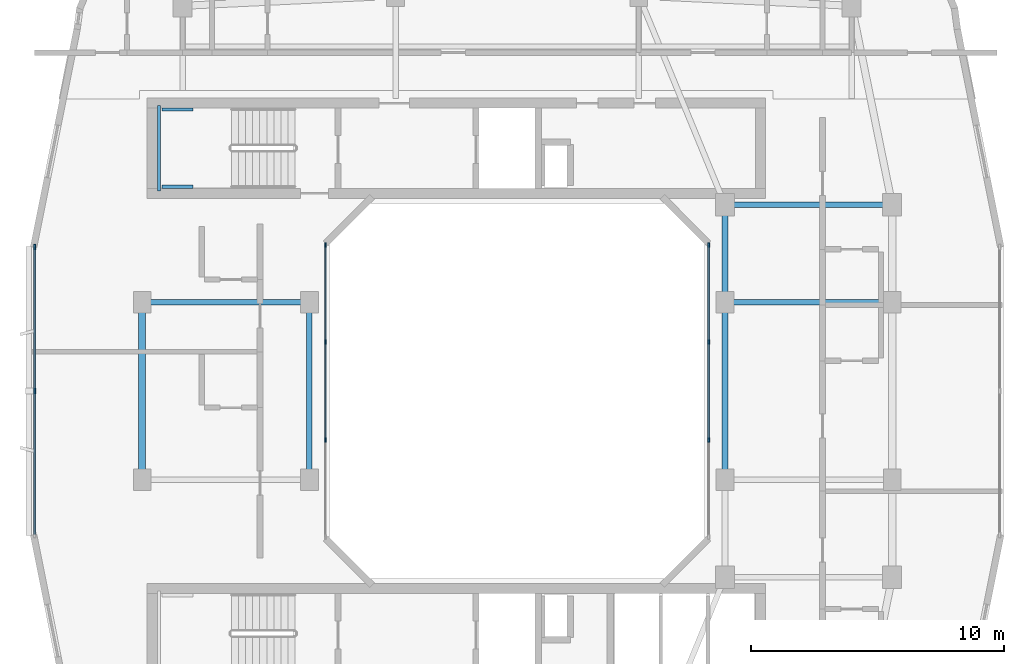
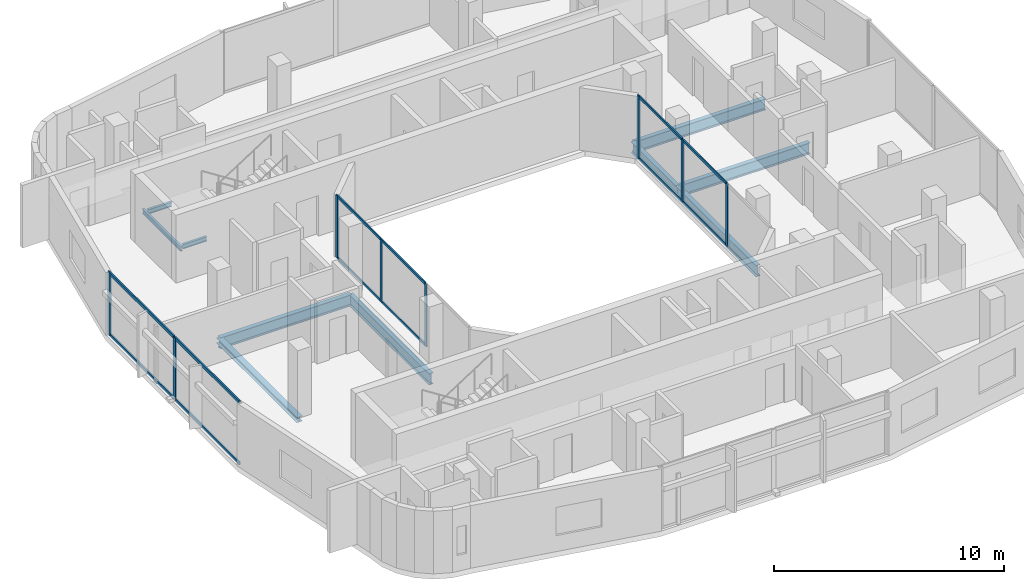
# One storey, part 3 of 14: 20 members, 10 beams, 3 elements without a shape of their own.
"""IFC4 building model written with IfcOpenShell, lengths in metres."""

from ifc_helpers import new_model, si_unit, derived_unit, direction, frame, origin, origin_2d, place, context, subcontext, project, spatial, rectangle, i_section, extrude, material, layer, layer_set, material_profile, profile_set, type_object, element, aggregate, save


model = new_model("IFC4")

# Units and contexts
model_context = context("Model", 3, precision=1e-05, world=origin(), true_north=direction((0.0, 1.0)))
body_context = subcontext(model_context, "Body", "Model", "MODEL_VIEW")
ifc_project = project(units=[si_unit("LENGTHUNIT", "METRE"), si_unit("AREAUNIT", "SQUARE_METRE"), si_unit("VOLUMEUNIT", "CUBIC_METRE"), si_unit("PLANEANGLEUNIT", "RADIAN"), si_unit("MASSUNIT", "GRAM", prefix="KILO"), derived_unit("THERMALTRANSMITTANCEUNIT", [(si_unit("POWERUNIT", "WATT"), 1), (si_unit("LENGTHUNIT", "METRE"), -2), (si_unit("THERMODYNAMICTEMPERATUREUNIT", "KELVIN"), -1)])], contexts=[model_context])

# Site, building, storey
site_placement = place(None, origin())
site = spatial("IfcSite", under=ifc_project, at=site_placement, CompositionType="ELEMENT")
building_placement = place(site_placement, origin())
building = spatial("IfcBuilding", under=site, at=building_placement, Name="Kivonza Crest Hotel", CompositionType="ELEMENT")
storey_placement = place(building_placement, frame((0.0, 0.0, 206.300048828125)))
storey = spatial("IfcBuildingStorey", under=building, at=storey_placement, Name="L56", CompositionType="ELEMENT", Elevation=206.300048828125)

# Beams
ifc_material_1 = material(Name="Steel S355", Category="steel")
ifc_material_profile_1 = material_profile(ifc_material_1, i_section(OverallWidth=0.280029296875, OverallDepth=0.280029296875, WebThickness=0.010498046875, FlangeThickness=0.01806640625, FilletRadius=0.02392578125, at=origin_2d()), Name="HEB 280")
ifc_profile_set_1 = profile_set([ifc_material_profile_1], Name="Steel S355")
beam_type_1 = type_object("IfcBeamType", Name="BM-HEB280", PredefinedType="SPANDREL", material=ifc_profile_set_1)
beam_1_placement = place(storey_placement, frame((6.199951171875, 28.5, -0.420166015625), z_axis=(0.0, -1.0, 0.0), x_axis=(1.0, 0.0, 0.0)))
element("IfcBeam", 1, at=beam_1_placement, inside=storey, type_object=beam_type_1, Name="Tower T1 L56 perimeter spandrel W2-W1", PredefinedType="SPANDREL", context=body_context, shape_type="SweptSolid", body=[
    extrude(i_section(OverallWidth=0.280029296875, OverallDepth=0.280029296875, WebThickness=0.010498046875, FlangeThickness=0.01806640625, FilletRadius=0.02392578125, at=origin_2d()), origin(), (0.0, 0.0, 1.0), 7.0),
])
ifc_material_profile_2 = material_profile(ifc_material_1, i_section(OverallWidth=0.219970703125, OverallDepth=0.60009765625, WebThickness=0.011962890625, FlangeThickness=0.01904296875, FilletRadius=0.02392578125, at=origin_2d()), Name="IPE 600")
ifc_profile_set_2 = profile_set([ifc_material_profile_2], Name="Steel S355")
beam_type_2 = type_object("IfcBeamType", Name="BM-IPE600", PredefinedType="BEAM", material=ifc_profile_set_2)
beam_2_placement = place(storey_placement, frame((6.199951171875, 28.5, -0.580078125), z_axis=(1.0, 0.0, 0.0), x_axis=(0.0, 1.0, 0.0)))
element("IfcBeam", 2, at=beam_2_placement, inside=storey, type_object=beam_type_2, Name="Tower T1 L56 primary girder W2-WL2", PredefinedType="BEAM", context=body_context, shape_type="SweptSolid", body=[
    extrude(i_section(OverallWidth=0.219970703125, OverallDepth=0.60009765625, WebThickness=0.011962890625, FlangeThickness=0.01904296875, FilletRadius=0.02392578125, at=origin_2d()), origin(), (0.0, 0.0, 1.0), 6.60009765625),
])
beam_3_placement = place(storey_placement, frame((12.800048828125, 21.5, -0.580078125), z_axis=(0.0, 1.0, 0.0), x_axis=(-1.0, 0.0, 0.0)))
element("IfcBeam", 3, at=beam_3_placement, inside=storey, type_object=beam_type_2, Name="Tower T1 L56 primary girder WL1-WL2", PredefinedType="BEAM", context=body_context, shape_type="SweptSolid", body=[
    extrude(i_section(OverallWidth=0.219970703125, OverallDepth=0.60009765625, WebThickness=0.011962890625, FlangeThickness=0.01904296875, FilletRadius=0.02392578125, at=origin_2d()), origin(), (0.0, 0.0, 1.0), 7.0),
])
beam_4_placement = place(storey_placement, frame((29.199951171875, 32.35009765625, -0.580078125), z_axis=(1.0, 0.0, 0.0), x_axis=(0.0, 1.0, 0.0)))
element("IfcBeam", 4, at=beam_4_placement, inside=storey, type_object=beam_type_2, Name="Tower T1 L56 primary girder TNE-PNE", PredefinedType="BEAM", context=body_context, shape_type="SweptSolid", body=[
    extrude(i_section(OverallWidth=0.219970703125, OverallDepth=0.60009765625, WebThickness=0.011962890625, FlangeThickness=0.01904296875, FilletRadius=0.02392578125, at=origin_2d()), origin(), (0.0, 0.0, 1.0), 6.60009765625),
])
beam_5_placement = place(storey_placement, frame((29.199951171875, 21.5, -0.580078125), z_axis=(0.0, 1.0, 0.0), x_axis=(-1.0, 0.0, 0.0)))
element("IfcBeam", 5, at=beam_5_placement, inside=storey, type_object=beam_type_2, Name="Tower T1 L56 primary girder WR1-WR2", PredefinedType="BEAM", context=body_context, shape_type="SweptSolid", body=[
    extrude(i_section(OverallWidth=0.219970703125, OverallDepth=0.60009765625, WebThickness=0.011962890625, FlangeThickness=0.01904296875, FilletRadius=0.02392578125, at=origin_2d()), origin(), (0.0, 0.0, 1.0), 7.0),
])
beam_6_placement = place(storey_placement, frame((29.199951171875, 28.5, -0.580078125), z_axis=(0.0, 1.0, 0.0), x_axis=(-1.0, 0.0, 0.0)))
element("IfcBeam", 6, at=beam_6_placement, inside=storey, type_object=beam_type_2, Name="Tower T1 L56 primary girder WR2-TNE", PredefinedType="BEAM", context=body_context, shape_type="SweptSolid", body=[
    extrude(i_section(OverallWidth=0.219970703125, OverallDepth=0.60009765625, WebThickness=0.011962890625, FlangeThickness=0.01904296875, FilletRadius=0.02392578125, at=origin_2d()), origin(), (0.0, 0.0, 1.0), 3.85009765625),
])
beam_7_placement = place(storey_placement, frame((29.199951171875, 28.5, -0.580078125), z_axis=(1.0, 0.0, 0.0), x_axis=(0.0, 1.0, 0.0)))
element("IfcBeam", 7, at=beam_7_placement, inside=storey, type_object=beam_type_2, Name="Tower T1 L56 primary girder WR2-E2", PredefinedType="BEAM", context=body_context, shape_type="SweptSolid", body=[
    extrude(i_section(OverallWidth=0.219970703125, OverallDepth=0.60009765625, WebThickness=0.011962890625, FlangeThickness=0.01904296875, FilletRadius=0.02392578125, at=origin_2d()), origin(), (0.0, 0.0, 1.0), 6.60009765625),
])
ifc_material_profile_3 = material_profile(ifc_material_1, i_section(OverallWidth=0.1201171875, OverallDepth=0.239990234375, WebThickness=0.006103515625, FlangeThickness=0.009765625, FilletRadius=0.014892578125, at=origin_2d()), Name="IPE 240")
ifc_profile_set_3 = profile_set([ifc_material_profile_3], Name="Steel S355")
beam_type_3 = type_object("IfcBeamType", Name="BM-LLDG-240", PredefinedType="BEAM", material=ifc_profile_set_3)
beam_8_placement = place(storey_placement, frame((6.860107421875, 32.89990234375, 1.47998046875), z_axis=(0.0, 1.0, 0.0), x_axis=(-1.0, 0.0, 0.0)))
element("IfcBeam", 8, at=beam_8_placement, inside=storey, type_object=beam_type_3, Name="Stair ST-T1-N L56 West landing corbel", PredefinedType="BEAM", context=body_context, shape_type="SweptSolid", body=[
    extrude(i_section(OverallWidth=0.1201171875, OverallDepth=0.239990234375, WebThickness=0.006103515625, FlangeThickness=0.009765625, FilletRadius=0.014892578125, at=origin_2d()), origin(), (0.0, 0.0, 1.0), 3.360107421875),
])
for number, where, z_axis, x_axis, name in (
    (9, (6.989990234375, 33.06005859375, 1.47998046875), (1.0, 0.0, 0.0), (0.0, 1.0, 0.0), "Stair ST-T1-N L56 South landing corbel"),
    (10, (6.989990234375, 36.10009765625, 1.47998046875), (1.0, 0.0, 0.0), (0.0, 1.0, 0.0), "Stair ST-T1-N L56 North landing corbel"),
):
    element("IfcBeam", number, at=place(storey_placement, frame(where, z_axis=z_axis, x_axis=x_axis)), inside=storey, type_object=beam_type_3, Name=name, PredefinedType="BEAM", context=body_context, shape_type="SweptSolid", body=[
        extrude(i_section(OverallWidth=0.1201171875, OverallDepth=0.239990234375, WebThickness=0.006103515625, FlangeThickness=0.009765625, FilletRadius=0.014892578125, at=origin_2d()), origin(), (0.0, 0.0, 1.0), 1.2099609375),
    ])

# Curtain wall, members
ifc_material_2 = material(Name="Anodised bronze aluminium and low-E double glazing", Category="aluminium")
ifc_layer_1 = layer(ifc_material_2, 0.159912109375)
ifc_layer_set_1 = layer_set([ifc_layer_1], Name="Anodised bronze aluminium and low-E double glazing")
curtain_wall_type_1 = type_object("IfcCurtainWallType", Name="CW-SYS-5", PredefinedType="NOTDEFINED", material=ifc_layer_set_1)
curtain_wall_1_placement = place(storey_placement, origin())
curtain_wall_1 = element("IfcCurtainWall", 11, at=curtain_wall_1_placement, inside=storey, type_object=curtain_wall_type_1, Name="L56 unitised curtain wall CW-WELL-T1-L56-3", PredefinedType="NOTDEFINED")
ifc_material_3 = material(Name="Anodised bronze aluminium", Category="aluminium")
ifc_material_profile_4 = material_profile(ifc_material_3, rectangle(XDim=0.06494140625, YDim=0.179931640625, at=origin_2d()), Name="CW-M 65x180")
ifc_profile_set_4 = profile_set([ifc_material_profile_4], Name="Anodised bronze aluminium")
member_type_1 = type_object("IfcMemberType", Name="CW-MUL-65x180", PredefinedType="MULLION", material=ifc_profile_set_4)
member_1_placement = place(storey_placement, frame((28.56005859375, 23.066650390625, 0.0), z_axis=(0.0, 0.0, 1.0), x_axis=(-1.0, 0.0, 0.0)))
member_1 = element("IfcMember", 12, at=member_1_placement, type_object=member_type_1, Name="CW-5 mullion 2", PredefinedType="MULLION", context=body_context, shape_type="SweptSolid", body=[
    extrude(rectangle(XDim=0.06494140625, YDim=0.179931640625, at=origin_2d()), origin(), (0.0, 0.0, 1.0), 3.320068359375),
])
member_2_placement = place(storey_placement, frame((28.56005859375, 26.933349609375, 0.0), z_axis=(0.0, 0.0, 1.0), x_axis=(-1.0, 0.0, 0.0)))
member_2 = element("IfcMember", 13, at=member_2_placement, type_object=member_type_1, Name="CW-5 mullion 3", PredefinedType="MULLION", context=body_context, shape_type="SweptSolid", body=[
    extrude(rectangle(XDim=0.06494140625, YDim=0.179931640625, at=origin_2d()), origin(), (0.0, 0.0, 1.0), 3.320068359375),
])
member_3_placement = place(storey_placement, frame((28.56005859375, 30.767578125, 0.0), z_axis=(0.0, 0.0, 1.0), x_axis=(-1.0, 0.0, 0.0)))
member_3 = element("IfcMember", 14, at=member_3_placement, type_object=member_type_1, Name="CW-5 mullion 4", PredefinedType="MULLION", context=body_context, shape_type="SweptSolid", body=[
    extrude(rectangle(XDim=0.06494140625, YDim=0.179931640625, at=origin_2d()), origin(), (0.0, 0.0, 1.0), 3.320068359375),
])

curtain_wall_2_placement = place(storey_placement, origin())
curtain_wall_2 = element("IfcCurtainWall", 15, at=curtain_wall_2_placement, inside=storey, type_object=curtain_wall_type_1, Name="L56 unitised curtain wall CW-WELL-T1-L56-7", PredefinedType="NOTDEFINED")
member_4_placement = place(storey_placement, frame((13.43994140625, 30.767578125, 0.0), z_axis=(0.0, 0.0, 1.0), x_axis=(1.0, 0.0, 0.0)))
member_4 = element("IfcMember", 16, at=member_4_placement, type_object=member_type_1, Name="CW-5 mullion 1", PredefinedType="MULLION", context=body_context, shape_type="SweptSolid", body=[
    extrude(rectangle(XDim=0.06494140625, YDim=0.179931640625, at=origin_2d()), origin(), (0.0, 0.0, 1.0), 3.320068359375),
])
member_5_placement = place(storey_placement, frame((13.43994140625, 26.933349609375, 0.0), z_axis=(0.0, 0.0, 1.0), x_axis=(1.0, 0.0, 0.0)))
member_5 = element("IfcMember", 17, at=member_5_placement, type_object=member_type_1, Name="CW-5 mullion 2", PredefinedType="MULLION", context=body_context, shape_type="SweptSolid", body=[
    extrude(rectangle(XDim=0.06494140625, YDim=0.179931640625, at=origin_2d()), origin(), (0.0, 0.0, 1.0), 3.320068359375),
])
member_6_placement = place(storey_placement, frame((13.43994140625, 23.066650390625, 0.0), z_axis=(0.0, 0.0, 1.0), x_axis=(1.0, 0.0, 0.0)))
member_6 = element("IfcMember", 18, at=member_6_placement, type_object=member_type_1, Name="CW-5 mullion 3", PredefinedType="MULLION", context=body_context, shape_type="SweptSolid", body=[
    extrude(rectangle(XDim=0.06494140625, YDim=0.179931640625, at=origin_2d()), origin(), (0.0, 0.0, 1.0), 3.320068359375),
])

ifc_layer_2 = layer(ifc_material_2, 0.179931640625)
ifc_layer_set_2 = layer_set([ifc_layer_2], Name="Anodised bronze aluminium and low-E double glazing")
curtain_wall_type_2 = type_object("IfcCurtainWallType", Name="CW-SYS-3", PredefinedType="NOTDEFINED", material=ifc_layer_set_2)
curtain_wall_3_placement = place(storey_placement, origin())
curtain_wall_3 = element("IfcCurtainWall", 19, at=curtain_wall_3_placement, inside=storey, type_object=curtain_wall_type_2, Name="L56 unitised curtain wall CW-T1-L56-35", PredefinedType="NOTDEFINED")
ifc_material_profile_5 = material_profile(ifc_material_3, rectangle(XDim=0.074951171875, YDim=0.219970703125, at=origin_2d()), Name="CW-M 75x220")
ifc_profile_set_5 = profile_set([ifc_material_profile_5], Name="Anodised bronze aluminium")
member_type_2 = type_object("IfcMemberType", Name="CW-MUL-75x220", PredefinedType="MULLION", material=ifc_profile_set_5)
member_7_placement = place(storey_placement, frame((1.9599609375, 30.6826171875, 0.0), z_axis=(0.0, 0.0, 1.0), x_axis=(1.0, 0.0, 0.0)))
member_7 = element("IfcMember", 20, at=member_7_placement, type_object=member_type_2, Name="CW-3 mullion 1", PredefinedType="MULLION", context=body_context, shape_type="SweptSolid", body=[
    extrude(rectangle(XDim=0.074951171875, YDim=0.219970703125, at=origin_2d()), origin(), (0.0, 0.0, 1.0), 3.320068359375),
])
member_8_placement = place(storey_placement, frame((1.9599609375, 25.0, 0.0), z_axis=(0.0, 0.0, 1.0), x_axis=(1.0, 0.0, 0.0)))
member_8 = element("IfcMember", 21, at=member_8_placement, type_object=member_type_2, Name="CW-3 mullion 2", PredefinedType="MULLION", context=body_context, shape_type="SweptSolid", body=[
    extrude(rectangle(XDim=0.074951171875, YDim=0.219970703125, at=origin_2d()), origin(), (0.0, 0.0, 1.0), 3.320068359375),
])

# Member
ifc_material_profile_6 = material_profile(ifc_material_3, rectangle(XDim=0.06494140625, YDim=0.139892578125, at=origin_2d()), Name="CW-T 65x140")
ifc_profile_set_6 = profile_set([ifc_material_profile_6], Name="Anodised bronze aluminium")
member_type_3 = type_object("IfcMemberType", Name="CW-TRN-65x140", PredefinedType="USERDEFINED", material=ifc_profile_set_6)
member_9_placement = place(storey_placement, frame((28.56005859375, 23.09912109375, 0.032470703125), z_axis=(0.0, 1.0, 0.0), x_axis=(-1.0, 0.0, 0.0)))
member_9 = element("IfcMember", 22, at=member_9_placement, type_object=member_type_3, Name="CW-5 transom 2.1", ObjectType="TRANSOM", PredefinedType="USERDEFINED", context=body_context, shape_type="SweptSolid", body=[
    extrude(rectangle(XDim=0.06494140625, YDim=0.139892578125, at=origin_2d()), origin(), (0.0, 0.0, 1.0), 3.8017578125),
])

member_10_placement = place(storey_placement, frame((28.56005859375, 23.09912109375, 3.287353515625), z_axis=(0.0, 1.0, 0.0), x_axis=(-1.0, 0.0, 0.0)))
member_10 = element("IfcMember", 23, at=member_10_placement, type_object=member_type_3, Name="CW-5 transom 2.2", ObjectType="TRANSOM", PredefinedType="USERDEFINED", context=body_context, shape_type="SweptSolid", body=[
    extrude(rectangle(XDim=0.06494140625, YDim=0.139892578125, at=origin_2d()), origin(), (0.0, 0.0, 1.0), 3.8017578125),
])

member_11_placement = place(storey_placement, frame((28.56005859375, 26.9658203125, 0.032470703125), z_axis=(0.0, 1.0, 0.0), x_axis=(-1.0, 0.0, 0.0)))
member_11 = element("IfcMember", 24, at=member_11_placement, type_object=member_type_3, Name="CW-5 transom 3.1", ObjectType="TRANSOM", PredefinedType="USERDEFINED", context=body_context, shape_type="SweptSolid", body=[
    extrude(rectangle(XDim=0.06494140625, YDim=0.139892578125, at=origin_2d()), origin(), (0.0, 0.0, 1.0), 3.769287109375),
])

member_12_placement = place(storey_placement, frame((28.56005859375, 26.9658203125, 3.287353515625), z_axis=(0.0, 1.0, 0.0), x_axis=(-1.0, 0.0, 0.0)))
member_12 = element("IfcMember", 25, at=member_12_placement, type_object=member_type_3, Name="CW-5 transom 3.2", ObjectType="TRANSOM", PredefinedType="USERDEFINED", context=body_context, shape_type="SweptSolid", body=[
    extrude(rectangle(XDim=0.06494140625, YDim=0.139892578125, at=origin_2d()), origin(), (0.0, 0.0, 1.0), 3.769287109375),
])

aggregate(curtain_wall_1, [member_1, member_2, member_3, member_9, member_10, member_11, member_12])

member_13_placement = place(storey_placement, frame((13.43994140625, 30.735107421875, 0.032470703125), z_axis=(0.0, -1.0, 0.0), x_axis=(1.0, 0.0, 0.0)))
member_13 = element("IfcMember", 26, at=member_13_placement, type_object=member_type_3, Name="CW-5 transom 1.1", ObjectType="TRANSOM", PredefinedType="USERDEFINED", context=body_context, shape_type="SweptSolid", body=[
    extrude(rectangle(XDim=0.06494140625, YDim=0.139892578125, at=origin_2d()), origin(), (0.0, 0.0, 1.0), 3.769287109375),
])

member_14_placement = place(storey_placement, frame((13.43994140625, 30.735107421875, 3.287353515625), z_axis=(0.0, -1.0, 0.0), x_axis=(1.0, 0.0, 0.0)))
member_14 = element("IfcMember", 27, at=member_14_placement, type_object=member_type_3, Name="CW-5 transom 1.2", ObjectType="TRANSOM", PredefinedType="USERDEFINED", context=body_context, shape_type="SweptSolid", body=[
    extrude(rectangle(XDim=0.06494140625, YDim=0.139892578125, at=origin_2d()), origin(), (0.0, 0.0, 1.0), 3.769287109375),
])

member_15_placement = place(storey_placement, frame((13.43994140625, 26.90087890625, 0.032470703125), z_axis=(0.0, -1.0, 0.0), x_axis=(1.0, 0.0, 0.0)))
member_15 = element("IfcMember", 28, at=member_15_placement, type_object=member_type_3, Name="CW-5 transom 2.1", ObjectType="TRANSOM", PredefinedType="USERDEFINED", context=body_context, shape_type="SweptSolid", body=[
    extrude(rectangle(XDim=0.06494140625, YDim=0.139892578125, at=origin_2d()), origin(), (0.0, 0.0, 1.0), 3.8017578125),
])

member_16_placement = place(storey_placement, frame((13.43994140625, 26.90087890625, 3.287353515625), z_axis=(0.0, -1.0, 0.0), x_axis=(1.0, 0.0, 0.0)))
member_16 = element("IfcMember", 29, at=member_16_placement, type_object=member_type_3, Name="CW-5 transom 2.2", ObjectType="TRANSOM", PredefinedType="USERDEFINED", context=body_context, shape_type="SweptSolid", body=[
    extrude(rectangle(XDim=0.06494140625, YDim=0.139892578125, at=origin_2d()), origin(), (0.0, 0.0, 1.0), 3.8017578125),
])

aggregate(curtain_wall_2, [member_4, member_5, member_6, member_13, member_14, member_15, member_16])

ifc_material_profile_7 = material_profile(ifc_material_3, rectangle(XDim=0.074951171875, YDim=0.159912109375, at=origin_2d()), Name="CW-T 75x160")
ifc_profile_set_7 = profile_set([ifc_material_profile_7], Name="Anodised bronze aluminium")
member_type_4 = type_object("IfcMemberType", Name="CW-TRN-75x160", PredefinedType="USERDEFINED", material=ifc_profile_set_7)
member_17_placement = place(storey_placement, frame((1.9599609375, 30.64501953125, 0.037353515625), z_axis=(0.0, -1.0, 0.0), x_axis=(1.0, 0.0, 0.0)))
member_17 = element("IfcMember", 30, at=member_17_placement, type_object=member_type_4, Name="CW-3 transom 1.1", ObjectType="TRANSOM", PredefinedType="USERDEFINED", context=body_context, shape_type="SweptSolid", body=[
    extrude(rectangle(XDim=0.074951171875, YDim=0.159912109375, at=origin_2d()), origin(), (0.0, 0.0, 1.0), 5.607421875),
])

member_18_placement = place(storey_placement, frame((1.9599609375, 30.64501953125, 3.282470703125), z_axis=(0.0, -1.0, 0.0), x_axis=(1.0, 0.0, 0.0)))
member_18 = element("IfcMember", 31, at=member_18_placement, type_object=member_type_4, Name="CW-3 transom 1.2", ObjectType="TRANSOM", PredefinedType="USERDEFINED", context=body_context, shape_type="SweptSolid", body=[
    extrude(rectangle(XDim=0.074951171875, YDim=0.159912109375, at=origin_2d()), origin(), (0.0, 0.0, 1.0), 5.607421875),
])

member_19_placement = place(storey_placement, frame((1.9599609375, 24.96240234375, 0.037353515625), z_axis=(0.0, -1.0, 0.0), x_axis=(1.0, 0.0, 0.0)))
member_19 = element("IfcMember", 32, at=member_19_placement, type_object=member_type_4, Name="CW-3 transom 2.1", ObjectType="TRANSOM", PredefinedType="USERDEFINED", context=body_context, shape_type="SweptSolid", body=[
    extrude(rectangle(XDim=0.074951171875, YDim=0.159912109375, at=origin_2d()), origin(), (0.0, 0.0, 1.0), 5.607421875),
])

member_20_placement = place(storey_placement, frame((1.9599609375, 24.96240234375, 3.282470703125), z_axis=(0.0, -1.0, 0.0), x_axis=(1.0, 0.0, 0.0)))
member_20 = element("IfcMember", 33, at=member_20_placement, type_object=member_type_4, Name="CW-3 transom 2.2", ObjectType="TRANSOM", PredefinedType="USERDEFINED", context=body_context, shape_type="SweptSolid", body=[
    extrude(rectangle(XDim=0.074951171875, YDim=0.159912109375, at=origin_2d()), origin(), (0.0, 0.0, 1.0), 5.607421875),
])

aggregate(curtain_wall_3, [member_7, member_8, member_17, member_18, member_19, member_20])

save(model, "model.ifc")
